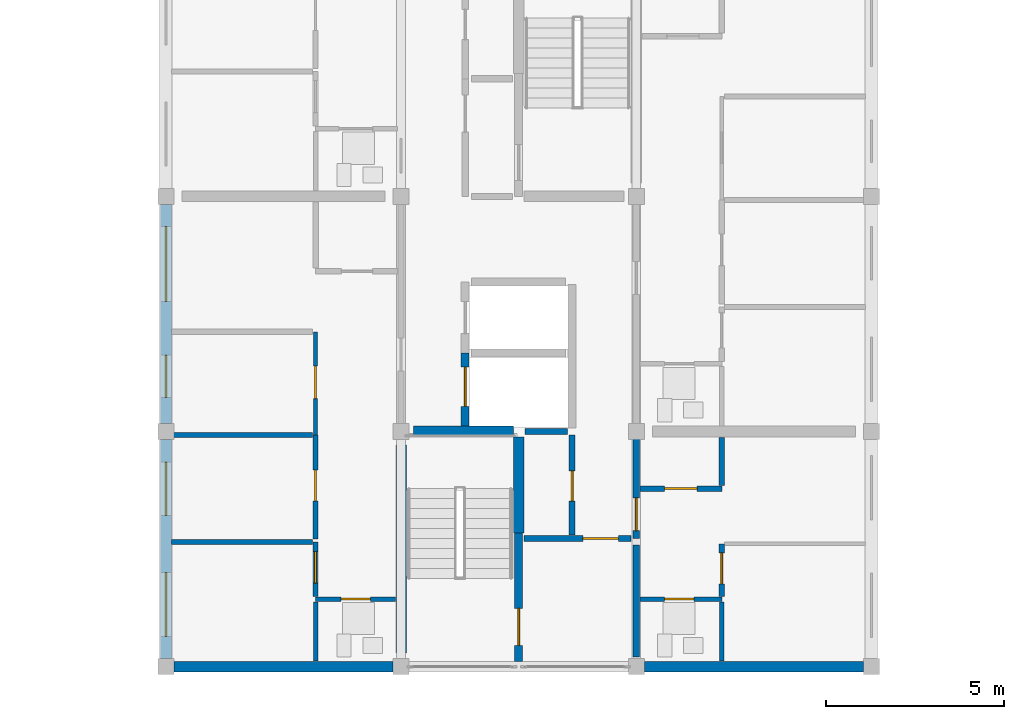
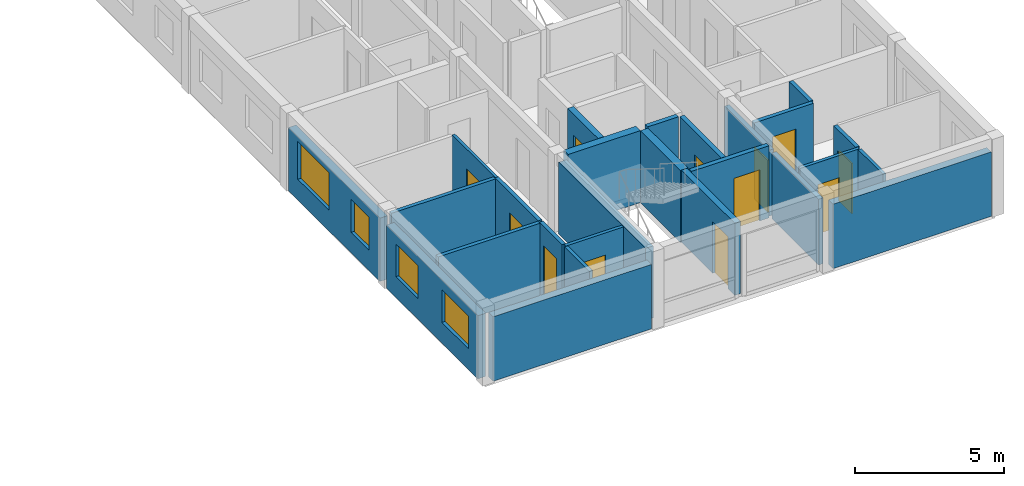
# One storey, part 28 of 45: 26 walls, 12 doors, 4 windows, 16 openings.
"""IFC4 building model written with IfcOpenShell, lengths in metres."""

from ifc_helpers import new_model, si_unit, direction, frame, frame_2d, origin, place, context, subcontext, project, spatial, rectangle, extrude, material, layer, layer_set, type_object, element, fill, save


model = new_model("IFC4")

# Units and contexts
model_context = context("Model", 3, precision=1e-05, world=origin(), true_north=direction((0.0, 1.0)))
body_context = subcontext(model_context, "Body", "Model", "MODEL_VIEW")
ifc_project = project(units=[si_unit("LENGTHUNIT", "METRE"), si_unit("AREAUNIT", "SQUARE_METRE"), si_unit("VOLUMEUNIT", "CUBIC_METRE"), si_unit("PLANEANGLEUNIT", "RADIAN"), si_unit("MASSUNIT", "GRAM", prefix="KILO")], contexts=[model_context])

# Site, building, storey
site_placement = place(None, origin())
site = spatial("IfcSite", under=ifc_project, at=site_placement, CompositionType="ELEMENT")
building_placement = place(site_placement, origin())
building = spatial("IfcBuilding", under=site, at=building_placement, Name="Kernevlak Ridge Housing Community", CompositionType="ELEMENT")
storey_placement = place(building_placement, frame((0.0, 0.0, 14.800048828125)))
storey = spatial("IfcBuildingStorey", under=building, at=storey_placement, Name="L04", CompositionType="ELEMENT", Elevation=14.800048828125)

# Wall, openings, windows
ifc_material_1 = material(Name="Concrete block masonry M10", Category="masonry")
ifc_layer_1 = layer(ifc_material_1, 0.300048828125, Name="Concrete block masonry M10")
ifc_layer_set_1 = layer_set([ifc_layer_1], Name="Concrete block masonry M10")
wall_type_1 = type_object("IfcWallType", Name="EW-01", PredefinedType="STANDARD", material=ifc_layer_set_1)
wall_1_placement = place(storey_placement, frame((126.0, 15.824951171875, 0.0), z_axis=(0.0, 0.0, 1.0), x_axis=(0.0, 1.0, 0.0)))
wall_1 = element("IfcWall", 1, at=wall_1_placement, inside=storey, type_object=wall_type_1, Name="Exterior wall EW-01 L04 586", PredefinedType="STANDARD", context=body_context, shape_type="SweptSolid", body=[
    extrude(rectangle(XDim=6.150146484375, YDim=0.300048828125, at=frame_2d((3.0751953125, 0.0))), origin(), (0.0, 0.0, 1.0), 2.599853515625),
])
opening_1_placement = place(wall_1_placement, frame((0.625, 0.0, 0.85009765625)))
opening_1 = element("IfcOpeningElement", 2, at=opening_1_placement, cuts=wall_1, Name="Opening WT-03", PredefinedType="OPENING", context=body_context, shape_type="SweptSolid", body=[
    extrude(rectangle(XDim=1.800048828125, YDim=1.35009765625, at=frame_2d((0.89990234375, 0.675048828125))), frame((0.0, 0.159912109375, 0.0), z_axis=(0.0, -1.0, 0.0), x_axis=(1.0, 0.0, 0.0)), (0.0, 0.0, 1.0), 0.320068359375),
])
opening_2_placement = place(wall_1_placement, frame((4.02490234375, 0.0, 0.85009765625)))
opening_2 = element("IfcOpeningElement", 3, at=opening_2_placement, cuts=wall_1, Name="Opening WT-02", PredefinedType="OPENING", context=body_context, shape_type="SweptSolid", body=[
    extrude(rectangle(XDim=1.5, YDim=1.35009765625, at=frame_2d((0.75, 0.675048828125))), frame((0.0, 0.159912109375, 0.0), z_axis=(0.0, -1.0, 0.0), x_axis=(1.0, 0.0, 0.0)), (0.0, 0.0, 1.0), 0.320068359375),
])
ifc_material_2 = material(Name="Aluminium EN AW-6060 anodised and laminated glass", Category="aluminium")
window_type_1 = type_object("IfcWindowType", Name="WT-02", PartitioningType="SINGLE_PANEL", PredefinedType="WINDOW", material=ifc_material_2)
window_1_placement = place(opening_2_placement, origin())
window_1 = element("IfcWindow", 4, at=window_1_placement, inside=storey, type_object=window_type_1, Name="Window WT-02 L04 473", OverallHeight=1.35009765625, OverallWidth=1.5, PartitioningType="SINGLE_PANEL", PredefinedType="WINDOW", context=body_context, shape_type="SweptSolid", body=[
    extrude(rectangle(XDim=1.5, YDim=1.35009765625, at=frame_2d((0.75, 0.675048828125))), frame((0.0, 0.030029296875, 0.0), z_axis=(0.0, -1.0, 0.0), x_axis=(1.0, 0.0, 0.0)), (0.0, 0.0, 1.0), 0.06005859375),
])
fill(opening_2, window_1)
window_type_2 = type_object("IfcWindowType", Name="WT-03", PartitioningType="SINGLE_PANEL", PredefinedType="WINDOW", material=ifc_material_2)
window_2_placement = place(opening_1_placement, origin())
window_2 = element("IfcWindow", 5, at=window_2_placement, inside=storey, type_object=window_type_2, Name="Window WT-03 L04 472", OverallHeight=1.35009765625, OverallWidth=1.800048828125, PartitioningType="SINGLE_PANEL", PredefinedType="WINDOW", context=body_context, shape_type="SweptSolid", body=[
    extrude(rectangle(XDim=1.800048828125, YDim=1.35009765625, at=frame_2d((0.89990234375, 0.675048828125))), frame((0.0, 0.030029296875, 0.0), z_axis=(0.0, -1.0, 0.0), x_axis=(1.0, 0.0, 0.0)), (0.0, 0.0, 1.0), 0.06005859375),
])
fill(opening_1, window_2)

wall_2_placement = place(storey_placement, frame((126.0, 22.425048828125, 0.0), z_axis=(0.0, 0.0, 1.0), x_axis=(0.0, 1.0, 0.0)))
wall_2 = element("IfcWall", 6, at=wall_2_placement, inside=storey, type_object=wall_type_1, Name="Exterior wall EW-01 L04 587", PredefinedType="STANDARD", context=body_context, shape_type="SweptSolid", body=[
    extrude(rectangle(XDim=6.14990234375, YDim=0.300048828125, at=frame_2d((3.074951171875, 0.0))), origin(), (0.0, 0.0, 1.0), 2.599853515625),
])
opening_3_placement = place(wall_2_placement, frame((0.72509765625, 0.0, 0.85009765625)))
opening_3 = element("IfcOpeningElement", 7, at=opening_3_placement, cuts=wall_2, Name="Opening WT-01", PredefinedType="OPENING", context=body_context, shape_type="SweptSolid", body=[
    extrude(rectangle(XDim=1.199951171875, YDim=1.35009765625, at=frame_2d((0.60009765625, 0.675048828125))), frame((0.0, 0.159912109375, 0.0), z_axis=(0.0, -1.0, 0.0), x_axis=(1.0, 0.0, 0.0)), (0.0, 0.0, 1.0), 0.320068359375),
])
opening_4_placement = place(wall_2_placement, frame((3.425048828125, 0.0, 0.85009765625)))
opening_4 = element("IfcOpeningElement", 8, at=opening_4_placement, cuts=wall_2, Name="Opening WT-05", PredefinedType="OPENING", context=body_context, shape_type="SweptSolid", body=[
    extrude(rectangle(XDim=2.10009765625, YDim=1.550048828125, at=frame_2d((1.050048828125, 0.77490234375))), frame((0.0, 0.159912109375, 0.0), z_axis=(0.0, -1.0, 0.0), x_axis=(1.0, 0.0, 0.0)), (0.0, 0.0, 1.0), 0.320068359375),
])
window_type_3 = type_object("IfcWindowType", Name="WT-01", PartitioningType="SINGLE_PANEL", PredefinedType="WINDOW", material=ifc_material_2)
window_3_placement = place(opening_3_placement, origin())
window_3 = element("IfcWindow", 9, at=window_3_placement, inside=storey, type_object=window_type_3, Name="Window WT-01 L04 474", OverallHeight=1.35009765625, OverallWidth=1.199951171875, PartitioningType="SINGLE_PANEL", PredefinedType="WINDOW", context=body_context, shape_type="SweptSolid", body=[
    extrude(rectangle(XDim=1.199951171875, YDim=1.35009765625, at=frame_2d((0.60009765625, 0.675048828125))), frame((0.0, 0.030029296875, 0.0), z_axis=(0.0, -1.0, 0.0), x_axis=(1.0, 0.0, 0.0)), (0.0, 0.0, 1.0), 0.06005859375),
])
fill(opening_3, window_3)
window_type_4 = type_object("IfcWindowType", Name="WT-05", PartitioningType="SINGLE_PANEL", PredefinedType="WINDOW", material=ifc_material_2)
window_4_placement = place(opening_4_placement, origin())
window_4 = element("IfcWindow", 10, at=window_4_placement, inside=storey, type_object=window_type_4, Name="Window WT-05 L04 475", OverallHeight=1.550048828125, OverallWidth=2.10009765625, PartitioningType="SINGLE_PANEL", PredefinedType="WINDOW", context=body_context, shape_type="SweptSolid", body=[
    extrude(rectangle(XDim=2.10009765625, YDim=1.550048828125, at=frame_2d((1.050048828125, 0.77490234375))), frame((0.0, 0.030029296875, 0.0), z_axis=(0.0, -1.0, 0.0), x_axis=(1.0, 0.0, 0.0)), (0.0, 0.0, 1.0), 0.06005859375),
])
fill(opening_4, window_4)

# Walls
for number, where, z_axis, x_axis, name in (
    (11, (126.22509765625, 15.60009765625, 0.0), (0.0, 0.0, 1.0), (1.0, 0.0, 0.0), "Exterior wall EW-01 L04 596"),
    (12, (139.425048828125, 15.60009765625, 0.0), (0.0, 0.0, 1.0), (1.0, 0.0, 0.0), "Exterior wall EW-01 L04 597"),
):
    element("IfcWall", number, at=place(storey_placement, frame(where, z_axis=z_axis, x_axis=x_axis)), inside=storey, type_object=wall_type_1, Name=name, PredefinedType="STANDARD", context=body_context, shape_type="SweptSolid", body=[
        extrude(rectangle(XDim=6.14990234375, YDim=0.300048828125, at=frame_2d((3.074951171875, 0.0))), origin(), (0.0, 0.0, 1.0), 2.64990234375),
    ])

# Wall, opening, door
ifc_material_3 = material(Name="Concrete C35/45", Category="concrete")
ifc_layer_2 = layer(ifc_material_3, 0.22509765625, Name="Concrete C35/45")
ifc_layer_set_2 = layer_set([ifc_layer_2], Name="Concrete C35/45")
wall_type_2 = type_object("IfcWallType", Name="PW-01", PredefinedType="STANDARD", material=ifc_layer_set_2)
wall_3_placement = place(storey_placement, frame((135.89990234375, 15.75, 0.0), z_axis=(0.0, 0.0, 1.0), x_axis=(0.0, 1.0, 0.0)))
wall_3 = element("IfcWall", 13, at=wall_3_placement, inside=storey, type_object=wall_type_2, Name="Interior wall PW-01 WAL-INT-L04-2363", PredefinedType="STANDARD", context=body_context, shape_type="SweptSolid", body=[
    extrude(rectangle(XDim=3.60009765625, YDim=0.22509765625, at=frame_2d((1.800048828125, 0.0))), origin(), (0.0, 0.0, 1.0), 2.9599609375),
])
opening_5_placement = place(wall_3_placement, frame((0.449951171875, 0.0, 0.0)))
opening_5 = element("IfcOpeningElement", 14, at=opening_5_placement, cuts=wall_3, Name="Opening E199", PredefinedType="OPENING", context=body_context, shape_type="SweptSolid", body=[
    extrude(rectangle(XDim=1.0400390625, YDim=2.1201171875, at=frame_2d((0.52001953125, 1.06005859375))), frame((0.0, 0.12255859375, 0.0), z_axis=(0.0, -1.0, 0.0), x_axis=(1.0, 0.0, 0.0)), (0.0, 0.0, 1.0), 0.2451171875),
])
ifc_material_4 = material(Name="Fire-rated sheet steel leaf", Category="steel")
door_type_1 = type_object("IfcDoorType", Name="DT-16", OperationType="NOTDEFINED", PredefinedType="DOOR", material=ifc_material_4)
door_1_placement = place(opening_5_placement, origin())
door_1 = element("IfcDoor", 15, at=door_1_placement, inside=storey, type_object=door_type_1, Name="Block C Stair 1 fire door E199", OperationType="SINGLE_SWING_RIGHT", OverallHeight=2.1201171875, OverallWidth=1.0400390625, PredefinedType="DOOR", context=body_context, shape_type="SweptSolid", body=[
    extrude(rectangle(XDim=1.0400390625, YDim=2.1201171875, at=frame_2d((0.52001953125, 1.06005859375))), frame((0.0, 0.02490234375, 0.0), z_axis=(0.0, -1.0, 0.0), x_axis=(1.0, 0.0, 0.0)), (0.0, 0.0, 1.0), 0.050048828125),
])
fill(opening_5, door_1)

wall_4_placement = place(storey_placement, frame((134.39990234375, 22.360107421875, 0.0), z_axis=(0.0, 0.0, 1.0), x_axis=(0.0, 1.0, 0.0)))
wall_4 = element("IfcWall", 16, at=wall_4_placement, inside=storey, type_object=wall_type_2, Name="Interior wall PW-01 WAL-INT-L04-2367", PredefinedType="STANDARD", context=body_context, shape_type="SweptSolid", body=[
    extrude(rectangle(XDim=2.039794921875, YDim=0.22509765625, at=frame_2d((1.02001953125, 0.0))), origin(), (0.0, 0.0, 1.0), 2.9599609375),
])
opening_6_placement = place(wall_4_placement, frame((0.550048828125, 0.0, 0.0)))
opening_6 = element("IfcOpeningElement", 17, at=opening_6_placement, cuts=wall_4, Name="Opening LD63", PredefinedType="OPENING", context=body_context, shape_type="SweptSolid", body=[
    extrude(rectangle(XDim=1.10009765625, YDim=2.10009765625, at=frame_2d((0.550048828125, 1.050048828125))), frame((0.0, 0.12255859375, 0.0), z_axis=(0.0, -1.0, 0.0), x_axis=(1.0, 0.0, 0.0)), (0.0, 0.0, 1.0), 0.2451171875),
])
ifc_material_5 = material(Name="Stainless steel EN 1.4401", Category="steel")
door_type_2 = type_object("IfcDoorType", Name="DT-LD1", OperationType="DOUBLE_DOOR_SLIDING", PredefinedType="DOOR", material=ifc_material_5)
door_2_placement = place(opening_6_placement, origin())
door_2 = element("IfcDoor", 18, at=door_2_placement, inside=storey, type_object=door_type_2, Name="Lift LF-C1 landing door LD63", OperationType="DOUBLE_DOOR_SLIDING", OverallHeight=2.10009765625, OverallWidth=1.10009765625, PredefinedType="DOOR", context=body_context, shape_type="SweptSolid", body=[
    extrude(rectangle(XDim=1.10009765625, YDim=2.10009765625, at=frame_2d((0.550048828125, 1.050048828125))), frame((0.0, 0.02490234375, 0.0), z_axis=(0.0, -1.0, 0.0), x_axis=(1.0, 0.0, 0.0)), (0.0, 0.0, 1.0), 0.050048828125),
])
fill(opening_6, door_2)

ifc_layer_3 = layer(ifc_material_1, 0.175048828125, Name="Concrete block masonry M10")
ifc_layer_set_3 = layer_set([ifc_layer_3], Name="Concrete block masonry M10")
wall_type_3 = type_object("IfcWallType", Name="PW-02", PredefinedType="PARTITIONING", material=ifc_layer_set_3)
wall_5_placement = place(storey_placement, frame((136.050048828125, 19.199951171875, 0.0), z_axis=(0.0, 0.0, 1.0), x_axis=(1.0, 0.0, 0.0)))
wall_5 = element("IfcWall", 19, at=wall_5_placement, inside=storey, type_object=wall_type_3, Name="Interior wall PW-02 WAL-INT-L04-2364", PredefinedType="PARTITIONING", context=body_context, shape_type="SweptSolid", body=[
    extrude(rectangle(XDim=3.0, YDim=0.175048828125, at=frame_2d((1.5, 0.0))), origin(), (0.0, 0.0, 1.0), 2.9599609375),
])
opening_7_placement = place(wall_5_placement, frame((1.64990234375, 0.0, 0.0)))
opening_7 = element("IfcOpeningElement", 20, at=opening_7_placement, cuts=wall_5, Name="Opening E200", PredefinedType="OPENING", context=body_context, shape_type="SweptSolid", body=[
    extrude(rectangle(XDim=1.0, YDim=2.10009765625, at=frame_2d((0.5, 1.050048828125))), frame((0.0, 0.097412109375, 0.0), z_axis=(0.0, -1.0, 0.0), x_axis=(1.0, 0.0, 0.0)), (0.0, 0.0, 1.0), 0.195068359375),
])
door_type_3 = type_object("IfcDoorType", Name="DT-05", OperationType="NOTDEFINED", PredefinedType="DOOR", material=ifc_material_4)
door_3_placement = place(opening_7_placement, origin())
door_3 = element("IfcDoor", 21, at=door_3_placement, inside=storey, type_object=door_type_3, Name="Block C Firefighting lobby 1 door E200", OperationType="SINGLE_SWING_LEFT", OverallHeight=2.10009765625, OverallWidth=1.0, PredefinedType="DOOR", context=body_context, shape_type="SweptSolid", body=[
    extrude(rectangle(XDim=1.0, YDim=2.10009765625, at=frame_2d((0.5, 1.050048828125))), frame((0.0, 0.02490234375, 0.0), z_axis=(0.0, -1.0, 0.0), x_axis=(1.0, 0.0, 0.0)), (0.0, 0.0, 1.0), 0.050048828125),
])
fill(opening_7, door_3)

wall_6_placement = place(storey_placement, frame((137.39990234375, 19.300048828125, 0.0), z_axis=(0.0, 0.0, 1.0), x_axis=(0.0, 1.0, 0.0)))
wall_6 = element("IfcWall", 22, at=wall_6_placement, inside=storey, type_object=wall_type_3, Name="Interior wall PW-02 WAL-INT-L04-2365", PredefinedType="PARTITIONING", context=body_context, shape_type="SweptSolid", body=[
    extrude(rectangle(XDim=2.800048828125, YDim=0.175048828125, at=frame_2d((1.39990234375, 0.0))), origin(), (0.0, 0.0, 1.0), 2.9599609375),
])
opening_8_placement = place(wall_6_placement, frame((0.949951171875, 0.0, 0.0)))
opening_8 = element("IfcOpeningElement", 23, at=opening_8_placement, cuts=wall_6, Name="Opening E201", PredefinedType="OPENING", context=body_context, shape_type="SweptSolid", body=[
    extrude(rectangle(XDim=0.85009765625, YDim=2.0, at=frame_2d((0.425048828125, 1.0))), frame((0.0, 0.097412109375, 0.0), z_axis=(0.0, -1.0, 0.0), x_axis=(1.0, 0.0, 0.0)), (0.0, 0.0, 1.0), 0.195068359375),
])
door_type_4 = type_object("IfcDoorType", Name="DT-07", OperationType="NOTDEFINED", PredefinedType="DOOR", material=ifc_material_4)
door_4_placement = place(opening_8_placement, origin())
door_4 = element("IfcDoor", 24, at=door_4_placement, inside=storey, type_object=door_type_4, Name="Block C Riser shaft door E201", OperationType="SINGLE_SWING_RIGHT", OverallHeight=2.0, OverallWidth=0.85009765625, PredefinedType="DOOR", context=body_context, shape_type="SweptSolid", body=[
    extrude(rectangle(XDim=0.85009765625, YDim=2.0, at=frame_2d((0.425048828125, 1.0))), frame((0.0, 0.02490234375, 0.0), z_axis=(0.0, -1.0, 0.0), x_axis=(1.0, 0.0, 0.0)), (0.0, 0.0, 1.0), 0.050048828125),
])
fill(opening_8, door_4)

# Walls
wall_7_placement = place(storey_placement, frame((136.080078125, 22.199951171875, 0.0), z_axis=(0.0, 0.0, 1.0), x_axis=(1.0, 0.0, 0.0)))
element("IfcWall", 25, at=wall_7_placement, inside=storey, type_object=wall_type_3, Name="Interior wall PW-02 WAL-INT-L04-2366", PredefinedType="PARTITIONING", context=body_context, shape_type="SweptSolid", body=[
    extrude(rectangle(XDim=1.18994140625, YDim=0.175048828125, at=frame_2d((0.594970703125, 0.0))), origin(), (0.0, 0.0, 1.0), 2.9599609375),
])
wall_8_placement = place(storey_placement, frame((139.199951171875, 15.8798828125, 0.0), z_axis=(0.0, 0.0, 1.0), x_axis=(0.0, 1.0, 0.0)))
element("IfcWall", 26, at=wall_8_placement, inside=storey, type_object=wall_type_3, Name="Interior wall PW-02 WAL-INT-L04-2404", PredefinedType="PARTITIONING", context=body_context, shape_type="SweptSolid", body=[
    extrude(rectangle(XDim=3.14013671875, YDim=0.175048828125, at=frame_2d((1.570068359375, 0.0))), origin(), (0.0, 0.0, 1.0), 2.699951171875),
])

# Wall, opening, door
wall_9_placement = place(storey_placement, frame((139.199951171875, 19.199951171875, 0.0), z_axis=(0.0, 0.0, 1.0), x_axis=(0.0, 1.0, 0.0)))
wall_9 = element("IfcWall", 27, at=wall_9_placement, inside=storey, type_object=wall_type_3, Name="Interior wall PW-02 WAL-INT-L04-2405", PredefinedType="PARTITIONING", context=body_context, shape_type="SweptSolid", body=[
    extrude(rectangle(XDim=3.0, YDim=0.175048828125, at=frame_2d((1.5, 0.0))), origin(), (0.0, 0.0, 1.0), 2.699951171875),
])
opening_9_placement = place(wall_9_placement, frame((0.219970703125, 0.0, 0.0)))
opening_9 = element("IfcOpeningElement", 28, at=opening_9_placement, cuts=wall_9, Name="Opening E218", PredefinedType="OPENING", context=body_context, shape_type="SweptSolid", body=[
    extrude(rectangle(XDim=0.919921875, YDim=2.139892578125, at=frame_2d((0.4599609375, 1.06982421875))), frame((0.0, 0.097412109375, 0.0), z_axis=(0.0, -1.0, 0.0), x_axis=(1.0, 0.0, 0.0)), (0.0, 0.0, 1.0), 0.195068359375),
])
ifc_material_6 = material(Name="Hardwood timber solid-core fire leaf", Category="wood")
door_type_5 = type_object("IfcDoorType", Name="DT-20", OperationType="NOTDEFINED", PredefinedType="DOOR", material=ifc_material_6)
door_5_placement = place(opening_9_placement, origin())
door_5 = element("IfcDoor", 29, at=door_5_placement, inside=storey, type_object=door_type_5, Name="Flat C0421 entrance fire door E218", OperationType="SINGLE_SWING_LEFT", OverallHeight=2.139892578125, OverallWidth=0.919921875, PredefinedType="DOOR", context=body_context, shape_type="SweptSolid", body=[
    extrude(rectangle(XDim=0.919921875, YDim=2.139892578125, at=frame_2d((0.4599609375, 1.06982421875))), frame((0.0, 0.02490234375, 0.0), z_axis=(0.0, -1.0, 0.0), x_axis=(1.0, 0.0, 0.0)), (0.0, 0.0, 1.0), 0.050048828125),
])
fill(opening_9, door_5)

ifc_layer_4 = layer(ifc_material_1, 0.14501953125, Name="Concrete block masonry M10")
ifc_layer_set_4 = layer_set([ifc_layer_4], Name="Concrete block masonry M10")
wall_type_4 = type_object("IfcWallType", Name="PW-03", PredefinedType="PARTITIONING", material=ifc_layer_set_4)
wall_10_placement = place(storey_placement, frame((130.199951171875, 17.572509765625, 0.0), z_axis=(0.0, 0.0, 1.0), x_axis=(0.0, 1.0, 0.0)))
wall_10 = element("IfcWall", 30, at=wall_10_placement, inside=storey, type_object=wall_type_4, Name="Interior wall PW-03 WAL-INT-L04-2387", PredefinedType="PARTITIONING", context=body_context, shape_type="SweptSolid", body=[
    extrude(rectangle(XDim=1.527587890625, YDim=0.14501953125, at=frame_2d((0.763671875, 0.0))), origin(), (0.0, 0.0, 1.0), 2.9599609375),
])
opening_10_placement = place(wall_10_placement, frame((0.375, 0.0, 0.0)))
opening_10 = element("IfcOpeningElement", 31, at=opening_10_placement, cuts=wall_10, Name="Opening E209", PredefinedType="OPENING", context=body_context, shape_type="SweptSolid", body=[
    extrude(rectangle(XDim=0.8798828125, YDim=2.159912109375, at=frame_2d((0.43994140625, 1.080078125))), frame((0.0, 0.08251953125, 0.0), z_axis=(0.0, -1.0, 0.0), x_axis=(1.0, 0.0, 0.0)), (0.0, 0.0, 1.0), 0.1650390625),
])
ifc_material_7 = material(Name="Hardwood timber leaf", Category="wood")
door_type_6 = type_object("IfcDoorType", Name="DT-26", OperationType="NOTDEFINED", PredefinedType="DOOR", material=ifc_material_7)
door_6_placement = place(opening_10_placement, origin())
door_6 = element("IfcDoor", 32, at=door_6_placement, inside=storey, type_object=door_type_6, Name="Flat C0411 bedroom door E209", OperationType="SINGLE_SWING_RIGHT", OverallHeight=2.159912109375, OverallWidth=0.8798828125, PredefinedType="DOOR", context=body_context, shape_type="SweptSolid", body=[
    extrude(rectangle(XDim=0.8798828125, YDim=2.159912109375, at=frame_2d((0.43994140625, 1.080078125))), frame((0.0, 0.02490234375, 0.0), z_axis=(0.0, -1.0, 0.0), x_axis=(1.0, 0.0, 0.0)), (0.0, 0.0, 1.0), 0.050048828125),
])
fill(opening_10, door_6)

# Wall
wall_11_placement = place(storey_placement, frame((130.117431640625, 19.10009765625, 0.0), z_axis=(0.0, 0.0, 1.0), x_axis=(-1.0, 0.0, 0.0)))
element("IfcWall", 33, at=wall_11_placement, inside=storey, type_object=wall_type_4, Name="Interior wall PW-03 WAL-INT-L04-2388", PredefinedType="PARTITIONING", context=body_context, shape_type="SweptSolid", body=[
    extrude(rectangle(XDim=3.95751953125, YDim=0.14501953125, at=frame_2d((1.978759765625, 0.0))), origin(), (0.0, 0.0, 1.0), 2.9599609375),
])

# Wall, opening, door
wall_12_placement = place(storey_placement, frame((130.199951171875, 19.1826171875, 0.0), z_axis=(0.0, 0.0, 1.0), x_axis=(0.0, 1.0, 0.0)))
wall_12 = element("IfcWall", 34, at=wall_12_placement, inside=storey, type_object=wall_type_4, Name="Interior wall PW-03 WAL-INT-L04-2389", PredefinedType="PARTITIONING", context=body_context, shape_type="SweptSolid", body=[
    extrude(rectangle(XDim=2.91748046875, YDim=0.14501953125, at=frame_2d((1.458740234375, 0.0))), origin(), (0.0, 0.0, 1.0), 2.9599609375),
])
opening_11_placement = place(wall_12_placement, frame((1.074951171875, 0.0, 0.0)))
opening_11 = element("IfcOpeningElement", 35, at=opening_11_placement, cuts=wall_12, Name="Opening E210", PredefinedType="OPENING", context=body_context, shape_type="SweptSolid", body=[
    extrude(rectangle(XDim=0.860107421875, YDim=2.1201171875, at=frame_2d((0.43017578125, 1.06005859375))), frame((0.0, 0.08251953125, 0.0), z_axis=(0.0, -1.0, 0.0), x_axis=(1.0, 0.0, 0.0)), (0.0, 0.0, 1.0), 0.1650390625),
])
door_type_7 = type_object("IfcDoorType", Name="DT-28", OperationType="NOTDEFINED", PredefinedType="DOOR", material=ifc_material_7)
door_7_placement = place(opening_11_placement, origin())
door_7 = element("IfcDoor", 36, at=door_7_placement, inside=storey, type_object=door_type_7, Name="Flat C0411 bedroom door E210", OperationType="SINGLE_SWING_LEFT", OverallHeight=2.1201171875, OverallWidth=0.860107421875, PredefinedType="DOOR", context=body_context, shape_type="SweptSolid", body=[
    extrude(rectangle(XDim=0.860107421875, YDim=2.1201171875, at=frame_2d((0.43017578125, 1.06005859375))), frame((0.0, 0.02490234375, 0.0), z_axis=(0.0, -1.0, 0.0), x_axis=(1.0, 0.0, 0.0)), (0.0, 0.0, 1.0), 0.050048828125),
])
fill(opening_11, door_7)

# Wall
wall_13_placement = place(storey_placement, frame((130.117431640625, 22.10009765625, 0.0), z_axis=(0.0, 0.0, 1.0), x_axis=(-1.0, 0.0, 0.0)))
element("IfcWall", 37, at=wall_13_placement, inside=storey, type_object=wall_type_4, Name="Interior wall PW-03 WAL-INT-L04-2390", PredefinedType="PARTITIONING", context=body_context, shape_type="SweptSolid", body=[
    extrude(rectangle(XDim=4.037353515625, YDim=0.14501953125, at=frame_2d((2.0185546875, 0.0))), origin(), (0.0, 0.0, 1.0), 2.9599609375),
])

# Wall, opening, door
wall_14_placement = place(storey_placement, frame((141.60009765625, 17.572509765625, 0.0), z_axis=(0.0, 0.0, 1.0), x_axis=(0.0, 1.0, 0.0)))
wall_14 = element("IfcWall", 38, at=wall_14_placement, inside=storey, type_object=wall_type_4, Name="Interior wall PW-03 WAL-INT-L04-2410", PredefinedType="PARTITIONING", context=body_context, shape_type="SweptSolid", body=[
    extrude(rectangle(XDim=1.4775390625, YDim=0.14501953125, at=frame_2d((0.73876953125, 0.0))), origin(), (0.0, 0.0, 1.0), 2.9599609375),
])
opening_12_placement = place(wall_14_placement, frame((0.35009765625, 0.0, 0.0)))
opening_12 = element("IfcOpeningElement", 39, at=opening_12_placement, cuts=wall_14, Name="Opening E221", PredefinedType="OPENING", context=body_context, shape_type="SweptSolid", body=[
    extrude(rectangle(XDim=0.8701171875, YDim=2.080078125, at=frame_2d((0.43505859375, 1.0400390625))), frame((0.0, 0.08251953125, 0.0), z_axis=(0.0, -1.0, 0.0), x_axis=(1.0, 0.0, 0.0)), (0.0, 0.0, 1.0), 0.1650390625),
])
door_type_8 = type_object("IfcDoorType", Name="DT-32", OperationType="NOTDEFINED", PredefinedType="DOOR", material=ifc_material_7)
door_8_placement = place(opening_12_placement, origin())
door_8 = element("IfcDoor", 40, at=door_8_placement, inside=storey, type_object=door_type_8, Name="Flat C0421 bedroom door E221", OperationType="SINGLE_SWING_RIGHT", OverallHeight=2.080078125, OverallWidth=0.8701171875, PredefinedType="DOOR", context=body_context, shape_type="SweptSolid", body=[
    extrude(rectangle(XDim=0.8701171875, YDim=2.080078125, at=frame_2d((0.43505859375, 1.0400390625))), frame((0.0, 0.02490234375, 0.0), z_axis=(0.0, -1.0, 0.0), x_axis=(1.0, 0.0, 0.0)), (0.0, 0.0, 1.0), 0.050048828125),
])
fill(opening_12, door_8)

ifc_material_8 = material(Name="Gypsum plasterboard EN 520", Category="gypsum")
ifc_layer_5 = layer(ifc_material_8, 0.125, Name="Gypsum plasterboard EN 520")
ifc_layer_set_5 = layer_set([ifc_layer_5], Name="Gypsum plasterboard EN 520")
wall_type_5 = type_object("IfcWallType", Name="PW-04", PredefinedType="PARTITIONING", material=ifc_layer_set_5)
wall_15_placement = place(storey_placement, frame((132.43994140625, 17.5, 0.0), z_axis=(0.0, 0.0, 1.0), x_axis=(-1.0, 0.0, 0.0)))
wall_15 = element("IfcWall", 41, at=wall_15_placement, inside=storey, type_object=wall_type_5, Name="Interior wall PW-04 WAL-INT-L04-2383", PredefinedType="PARTITIONING", context=body_context, shape_type="SweptSolid", body=[
    extrude(rectangle(XDim=2.239990234375, YDim=0.125, at=frame_2d((1.1201171875, 0.0))), origin(), (0.0, 0.0, 1.0), 2.9599609375),
])
opening_13_placement = place(wall_15_placement, frame((0.699951171875, 0.0, 0.0)))
opening_13 = element("IfcOpeningElement", 42, at=opening_13_placement, cuts=wall_15, Name="Opening E207", PredefinedType="OPENING", context=body_context, shape_type="SweptSolid", body=[
    extrude(rectangle(XDim=0.820068359375, YDim=2.050048828125, at=frame_2d((0.41015625, 1.02490234375))), frame((0.0, 0.072509765625, 0.0), z_axis=(0.0, -1.0, 0.0), x_axis=(1.0, 0.0, 0.0)), (0.0, 0.0, 1.0), 0.14501953125),
])
ifc_material_9 = material(Name="Hardwood timber moisture-resistant leaf", Category="wood")
door_type_9 = type_object("IfcDoorType", Name="DT-30", OperationType="NOTDEFINED", PredefinedType="DOOR", material=ifc_material_9)
door_9_placement = place(opening_13_placement, origin())
door_9 = element("IfcDoor", 43, at=door_9_placement, inside=storey, type_object=door_type_9, Name="Flat C0411 bathroom door E207", OperationType="SINGLE_SWING_RIGHT", OverallHeight=2.050048828125, OverallWidth=0.820068359375, PredefinedType="DOOR", context=body_context, shape_type="SweptSolid", body=[
    extrude(rectangle(XDim=0.820068359375, YDim=2.050048828125, at=frame_2d((0.41015625, 1.02490234375))), frame((0.0, 0.02490234375, 0.0), z_axis=(0.0, -1.0, 0.0), x_axis=(1.0, 0.0, 0.0)), (0.0, 0.0, 1.0), 0.050048828125),
])
fill(opening_13, door_9)

# Wall
wall_16_placement = place(storey_placement, frame((130.199951171875, 15.760009765625, 0.0), z_axis=(0.0, 0.0, 1.0), x_axis=(0.0, 1.0, 0.0)))
element("IfcWall", 44, at=wall_16_placement, inside=storey, type_object=wall_type_5, Name="Interior wall PW-04 WAL-INT-L04-2384", PredefinedType="PARTITIONING", context=body_context, shape_type="SweptSolid", body=[
    extrude(rectangle(XDim=1.659912109375, YDim=0.125, at=frame_2d((0.830078125, 0.0))), origin(), (0.0, 0.0, 1.0), 2.9599609375),
])

# Wall, opening, door
wall_17_placement = place(storey_placement, frame((139.297607421875, 17.5, 0.0), z_axis=(0.0, 0.0, 1.0), x_axis=(1.0, 0.0, 0.0)))
wall_17 = element("IfcWall", 45, at=wall_17_placement, inside=storey, type_object=wall_type_5, Name="Interior wall PW-04 WAL-INT-L04-2406", PredefinedType="PARTITIONING", context=body_context, shape_type="SweptSolid", body=[
    extrude(rectangle(XDim=2.302490234375, YDim=0.125, at=frame_2d((1.1513671875, 0.0))), origin(), (0.0, 0.0, 1.0), 2.9599609375),
])
opening_14_placement = place(wall_17_placement, frame((0.699951171875, 0.0, 0.0)))
opening_14 = element("IfcOpeningElement", 46, at=opening_14_placement, cuts=wall_17, Name="Opening E219", PredefinedType="OPENING", context=body_context, shape_type="SweptSolid", body=[
    extrude(rectangle(XDim=0.820068359375, YDim=2.050048828125, at=frame_2d((0.41015625, 1.02490234375))), frame((0.0, 0.072509765625, 0.0), z_axis=(0.0, -1.0, 0.0), x_axis=(1.0, 0.0, 0.0)), (0.0, 0.0, 1.0), 0.14501953125),
])
door_10_placement = place(opening_14_placement, origin())
door_10 = element("IfcDoor", 47, at=door_10_placement, inside=storey, type_object=door_type_9, Name="Flat C0421 bathroom door E219", OperationType="SINGLE_SWING_RIGHT", OverallHeight=2.050048828125, OverallWidth=0.820068359375, PredefinedType="DOOR", context=body_context, shape_type="SweptSolid", body=[
    extrude(rectangle(XDim=0.820068359375, YDim=2.050048828125, at=frame_2d((0.41015625, 1.02490234375))), frame((0.0, 0.02490234375, 0.0), z_axis=(0.0, -1.0, 0.0), x_axis=(1.0, 0.0, 0.0)), (0.0, 0.0, 1.0), 0.050048828125),
])
fill(opening_14, door_10)

# Wall
wall_18_placement = place(storey_placement, frame((141.60009765625, 15.760009765625, 0.0), z_axis=(0.0, 0.0, 1.0), x_axis=(0.0, 1.0, 0.0)))
element("IfcWall", 48, at=wall_18_placement, inside=storey, type_object=wall_type_5, Name="Interior wall PW-04 WAL-INT-L04-2407", PredefinedType="PARTITIONING", context=body_context, shape_type="SweptSolid", body=[
    extrude(rectangle(XDim=1.659912109375, YDim=0.125, at=frame_2d((0.830078125, 0.0))), origin(), (0.0, 0.0, 1.0), 2.9599609375),
])

# Wall, opening, door
ifc_layer_6 = layer(ifc_material_8, 0.155029296875, Name="Gypsum plasterboard EN 520")
ifc_layer_set_6 = layer_set([ifc_layer_6], Name="Gypsum plasterboard EN 520")
wall_type_6 = type_object("IfcWallType", Name="PW-05", PredefinedType="PARTITIONING", material=ifc_layer_set_6)
wall_19_placement = place(storey_placement, frame((139.297607421875, 20.60009765625, 0.0), z_axis=(0.0, 0.0, 1.0), x_axis=(1.0, 0.0, 0.0)))
wall_19 = element("IfcWall", 49, at=wall_19_placement, inside=storey, type_object=wall_type_6, Name="Interior wall PW-05 WAL-INT-L04-2408", PredefinedType="PARTITIONING", context=body_context, shape_type="SweptSolid", body=[
    extrude(rectangle(XDim=2.302490234375, YDim=0.155029296875, at=frame_2d((1.1513671875, 0.0))), origin(), (0.0, 0.0, 1.0), 2.9599609375),
])
opening_15_placement = place(wall_19_placement, frame((0.699951171875, 0.0, 0.0)))
opening_15 = element("IfcOpeningElement", 50, at=opening_15_placement, cuts=wall_19, Name="Opening E220", PredefinedType="OPENING", context=body_context, shape_type="SweptSolid", body=[
    extrude(rectangle(XDim=0.909912109375, YDim=2.139892578125, at=frame_2d((0.455078125, 1.06982421875))), frame((0.0, 0.08740234375, 0.0), z_axis=(0.0, -1.0, 0.0), x_axis=(1.0, 0.0, 0.0)), (0.0, 0.0, 1.0), 0.175048828125),
])
door_type_10 = type_object("IfcDoorType", Name="DT-31", OperationType="NOTDEFINED", PredefinedType="DOOR", material=ifc_material_7)
door_11_placement = place(opening_15_placement, origin())
door_11 = element("IfcDoor", 51, at=door_11_placement, inside=storey, type_object=door_type_10, Name="Flat C0421 kitchen door E220", OperationType="SINGLE_SWING_LEFT", OverallHeight=2.139892578125, OverallWidth=0.909912109375, PredefinedType="DOOR", context=body_context, shape_type="SweptSolid", body=[
    extrude(rectangle(XDim=0.909912109375, YDim=2.139892578125, at=frame_2d((0.455078125, 1.06982421875))), frame((0.0, 0.02490234375, 0.0), z_axis=(0.0, -1.0, 0.0), x_axis=(1.0, 0.0, 0.0)), (0.0, 0.0, 1.0), 0.050048828125),
])
fill(opening_15, door_11)

# Wall
wall_20_placement = place(storey_placement, frame((141.60009765625, 20.6875, 0.0), z_axis=(0.0, 0.0, 1.0), x_axis=(0.0, 1.0, 0.0)))
element("IfcWall", 52, at=wall_20_placement, inside=storey, type_object=wall_type_6, Name="Interior wall PW-05 WAL-INT-L04-2409", PredefinedType="PARTITIONING", context=body_context, shape_type="SweptSolid", body=[
    extrude(rectangle(XDim=1.3525390625, YDim=0.155029296875, at=frame_2d((0.67626953125, 0.0))), origin(), (0.0, 0.0, 1.0), 2.9599609375),
])

# Wall, opening, door
ifc_layer_7 = layer(ifc_material_8, 0.10498046875, Name="Gypsum plasterboard EN 520")
ifc_layer_set_7 = layer_set([ifc_layer_7], Name="Gypsum plasterboard EN 520")
wall_type_7 = type_object("IfcWallType", Name="PW-06", PredefinedType="PARTITIONING", material=ifc_layer_set_7)
wall_21_placement = place(storey_placement, frame((130.199951171875, 22.10009765625, 0.0), z_axis=(0.0, 0.0, 1.0), x_axis=(0.0, 1.0, 0.0)))
wall_21 = element("IfcWall", 53, at=wall_21_placement, inside=storey, type_object=wall_type_7, Name="Interior wall PW-06 WAL-INT-L04-2391", PredefinedType="PARTITIONING", context=body_context, shape_type="SweptSolid", body=[
    extrude(rectangle(XDim=2.89990234375, YDim=0.10498046875, at=frame_2d((1.449951171875, 0.0))), origin(), (0.0, 0.0, 1.0), 2.9599609375),
])
opening_16_placement = place(wall_21_placement, frame((1.02490234375, 0.0, 0.0)))
opening_16 = element("IfcOpeningElement", 54, at=opening_16_placement, cuts=wall_21, Name="Opening E211", PredefinedType="OPENING", context=body_context, shape_type="SweptSolid", body=[
    extrude(rectangle(XDim=0.909912109375, YDim=2.139892578125, at=frame_2d((0.455078125, 1.06982421875))), frame((0.0, 0.0625, 0.0), z_axis=(0.0, -1.0, 0.0), x_axis=(1.0, 0.0, 0.0)), (0.0, 0.0, 1.0), 0.125),
])
door_12_placement = place(opening_16_placement, origin())
door_12 = element("IfcDoor", 55, at=door_12_placement, inside=storey, type_object=door_type_10, Name="Flat C0411 bedroom door E211", OperationType="SINGLE_SWING_RIGHT", OverallHeight=2.139892578125, OverallWidth=0.909912109375, PredefinedType="DOOR", context=body_context, shape_type="SweptSolid", body=[
    extrude(rectangle(XDim=0.909912109375, YDim=2.139892578125, at=frame_2d((0.455078125, 1.06982421875))), frame((0.0, 0.02490234375, 0.0), z_axis=(0.0, -1.0, 0.0), x_axis=(1.0, 0.0, 0.0)), (0.0, 0.0, 1.0), 0.050048828125),
])
fill(opening_16, door_12)

# Walls
ifc_material_10 = material(Name="Concrete C40/50", Category="concrete")
ifc_layer_8 = layer(ifc_material_10, 0.300048828125, Name="Concrete C40/50")
ifc_layer_set_8 = layer_set([ifc_layer_8], Name="Concrete C40/50")
wall_type_8 = type_object("IfcWallType", Name="SW-02", PredefinedType="SHEAR", material=ifc_layer_set_8)
wall_22_placement = place(storey_placement, frame((132.60009765625, 15.97998046875, 0.0), z_axis=(0.0, 0.0, 1.0), x_axis=(0.0, 1.0, 0.0)))
element("IfcWall", 56, at=wall_22_placement, inside=storey, type_object=wall_type_8, Name="Shear wall SW-02 Block C L04 411", PredefinedType="SHEAR", context=body_context, shape_type="SweptSolid", body=[
    extrude(rectangle(XDim=5.840087890625, YDim=0.300048828125, at=frame_2d((2.919921875, 0.0))), origin(), (0.0, 0.0, 1.0), 2.9599609375),
])
wall_23_placement = place(storey_placement, frame((135.89990234375, 19.35009765625, 0.0), z_axis=(0.0, 0.0, 1.0), x_axis=(0.0, 1.0, 0.0)))
element("IfcWall", 57, at=wall_23_placement, inside=storey, type_object=wall_type_8, Name="Shear wall SW-02 Block C L04 412", PredefinedType="SHEAR", context=body_context, shape_type="SweptSolid", body=[
    extrude(rectangle(XDim=2.699951171875, YDim=0.300048828125, at=frame_2d((1.35009765625, 0.0))), origin(), (0.0, 0.0, 1.0), 2.9599609375),
])
wall_24_placement = place(storey_placement, frame((132.949951171875, 22.199951171875, 0.0), z_axis=(0.0, 0.0, 1.0), x_axis=(1.0, 0.0, 0.0)))
element("IfcWall", 58, at=wall_24_placement, inside=storey, type_object=wall_type_8, Name="Shear wall SW-02 Block C L04 413", PredefinedType="SHEAR", context=body_context, shape_type="SweptSolid", body=[
    extrude(rectangle(XDim=2.800048828125, YDim=0.300048828125, at=frame_2d((1.39990234375, 0.0))), origin(), (0.0, 0.0, 1.0), 2.9599609375),
])

save(model, "model.ifc")
